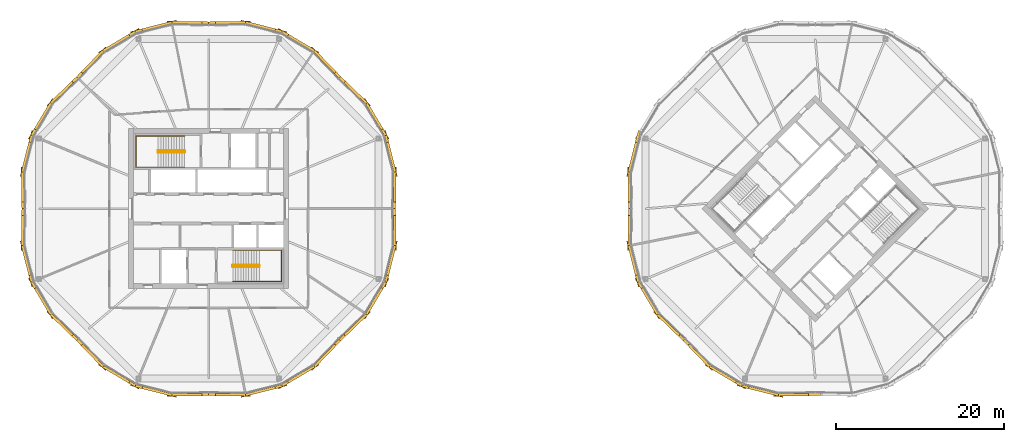
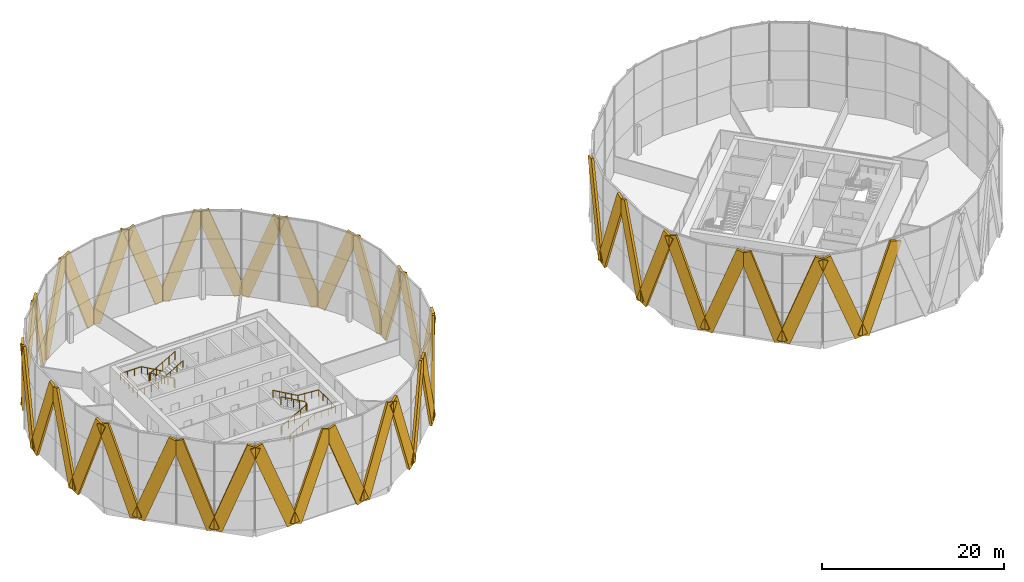
# One storey, part 22 of 23: 42 coverings, 4 railings.
"""IFC4 building model written with IfcOpenShell, lengths in metres."""

from ifc_helpers import new_model, si_unit, direction, frame, origin, origin_2d, place, context, subcontext, project, spatial, rectangle, circle, extrude, material, material_profile, profile_set, type_object, element, save


model = new_model("IFC4")

# Units and contexts
model_context = context("Model", 3, precision=1e-05, world=origin(), true_north=direction((0.0, 1.0)))
body_context = subcontext(model_context, "Body", "Model", "MODEL_VIEW")
ifc_project = project(units=[si_unit("LENGTHUNIT", "METRE"), si_unit("AREAUNIT", "SQUARE_METRE"), si_unit("VOLUMEUNIT", "CUBIC_METRE"), si_unit("PLANEANGLEUNIT", "RADIAN"), si_unit("MASSUNIT", "GRAM", prefix="KILO")], contexts=[model_context])

# Site, building, storey
site_placement = place(None, origin())
site = spatial("IfcSite", under=ifc_project, at=site_placement, CompositionType="ELEMENT")
building_placement = place(site_placement, origin())
building = spatial("IfcBuilding", under=site, at=building_placement, Name="Ogive Gate Towers", CompositionType="ELEMENT")
storey_placement = place(building_placement, frame((0.0, 0.0, 177.300048828125)))
storey = spatial("IfcBuildingStorey", under=building, at=storey_placement, Name="L42", CompositionType="ELEMENT", Elevation=177.300048828125)

# Coverings
ifc_material_1 = material(Name="Pale metal aluminium", Category="aluminium")
ifc_material_profile = material_profile(ifc_material_1, rectangle(XDim=0.300048828125, YDim=1.5, at=origin_2d()), Name="1500 x 300 pale metal aluminium")
ifc_profile_set = profile_set([ifc_material_profile], Name="Pale metal aluminium")
covering_type = type_object("IfcCoveringType", Name="Facade fin 1500 x 300", PredefinedType="CLADDING", material=ifc_profile_set)
covering_1_placement = place(storey_placement, frame((-13.88818359375, 4.24365234375, -0.0888671875), z_axis=(-0.005896872643, -0.348099763226, 0.937438948271), x_axis=(0.999856546025, -0.016937749853, 0.0)))
element("IfcCovering", 1, at=covering_1_placement, inside=storey, type_object=covering_type, Name="Facade fin", PredefinedType="CLADDING", context=body_context, shape_type="SweptSolid", body=[
    extrude(rectangle(XDim=0.300048828125, YDim=1.5, at=origin_2d()), origin(), (0.0, 0.0, 1.0), 11.923583984375),
])
for number, where, z_axis, x_axis, name in (
    (2, (-13.918212890625, 4.497802734375, -0.085693359375), (-0.086860193873, 0.341530110073, 0.935848540435), (-0.969147856369, -0.246480085394, 0.0), "Facade fin"),
    (3, (-17.205322265625, 12.433837890625, -0.085693359375), (0.180079879209, -0.302935056313, 0.935842715824), (0.859590314879, 0.5109838457, 0.0), "Facade fin"),
):
    element("IfcCovering", number, at=place(storey_placement, frame(where, z_axis=z_axis, x_axis=x_axis)), inside=storey, type_object=covering_type, Name=name, PredefinedType="CLADDING", context=body_context, shape_type="SweptSolid", body=[
        extrude(rectangle(XDim=0.300048828125, YDim=1.5, at=origin_2d()), origin(), (0.0, 0.0, 1.0), 11.937255859375),
    ])
for number, where, z_axis, x_axis, name in (
    (4, (-17.36376953125, 12.634521484375, -0.0888671875), (-0.250308781099, 0.241995867796, 0.937434538554), (-0.695067697185, -0.718944292925, 0.0), "Facade fin"),
    (5, (-23.365478515625, 18.63623046875, -0.0888671875), (0.241995867796, -0.250308781099, 0.937434538554), (0.718944292925, 0.695067697185, 0.0), "Facade fin"),
):
    element("IfcCovering", number, at=place(storey_placement, frame(where, z_axis=z_axis, x_axis=x_axis)), inside=storey, type_object=covering_type, Name=name, PredefinedType="CLADDING", context=body_context, shape_type="SweptSolid", body=[
        extrude(rectangle(XDim=0.300048828125, YDim=1.5, at=origin_2d()), origin(), (0.0, 0.0, 1.0), 11.923828125),
    ])
for number, where, z_axis, x_axis, name in (
    (6, (-23.566162109375, 18.794677734375, -0.085693359375), (-0.302935056313, 0.180079879209, 0.935842715824), (-0.5109838457, -0.859590314879, 0.0), "Facade fin"),
    (7, (-31.502197265625, 22.081787109375, -0.085693359375), (0.341530110073, -0.086860193873, 0.935848540435), (0.246480085394, 0.969147856369, 0.0), "Facade fin"),
):
    element("IfcCovering", number, at=place(storey_placement, frame(where, z_axis=z_axis, x_axis=x_axis)), inside=storey, type_object=covering_type, Name=name, PredefinedType="CLADDING", context=body_context, shape_type="SweptSolid", body=[
        extrude(rectangle(XDim=0.300048828125, YDim=1.5, at=origin_2d()), origin(), (0.0, 0.0, 1.0), 11.937255859375),
    ])
for number, where, z_axis, x_axis, name in (
    (8, (-31.75634765625, 22.11181640625, -0.0888671875), (-0.348099763226, -0.005896872643, 0.937438948271), (0.016937749853, -0.999856546025, 0.0), "Facade fin"),
    (9, (-40.24365234375, 22.11181640625, -0.0888671875), (0.348099763226, -0.005896872643, 0.937438948271), (0.016937749853, 0.999856546025, 0.0), "Facade fin"),
):
    element("IfcCovering", number, at=place(storey_placement, frame(where, z_axis=z_axis, x_axis=x_axis)), inside=storey, type_object=covering_type, Name=name, PredefinedType="CLADDING", context=body_context, shape_type="SweptSolid", body=[
        extrude(rectangle(XDim=0.300048828125, YDim=1.5, at=origin_2d()), origin(), (0.0, 0.0, 1.0), 11.923583984375),
    ])
for number, where, z_axis, x_axis, name in (
    (10, (-40.497802734375, 22.081787109375, -0.085693359375), (-0.341530110073, -0.086860193873, 0.935848540435), (0.246480085394, -0.969147856369, 0.0), "Facade fin"),
    (11, (-48.433837890625, 18.794677734375, -0.085693359375), (0.302935056313, 0.180079879209, 0.935842715824), (-0.5109838457, 0.859590314879, 0.0), "Facade fin"),
):
    element("IfcCovering", number, at=place(storey_placement, frame(where, z_axis=z_axis, x_axis=x_axis)), inside=storey, type_object=covering_type, Name=name, PredefinedType="CLADDING", context=body_context, shape_type="SweptSolid", body=[
        extrude(rectangle(XDim=0.300048828125, YDim=1.5, at=origin_2d()), origin(), (0.0, 0.0, 1.0), 11.937255859375),
    ])
for number, where, z_axis, x_axis, name in (
    (12, (-48.634521484375, 18.63623046875, -0.0888671875), (-0.241995867796, -0.250308781099, 0.937434538554), (0.718944292925, -0.695067697185, 0.0), "Facade fin"),
    (13, (-54.63623046875, 12.634521484375, -0.0888671875), (0.250308781099, 0.241995867796, 0.937434538554), (-0.695067697185, 0.718944292925, 0.0), "Facade fin"),
):
    element("IfcCovering", number, at=place(storey_placement, frame(where, z_axis=z_axis, x_axis=x_axis)), inside=storey, type_object=covering_type, Name=name, PredefinedType="CLADDING", context=body_context, shape_type="SweptSolid", body=[
        extrude(rectangle(XDim=0.300048828125, YDim=1.5, at=origin_2d()), origin(), (0.0, 0.0, 1.0), 11.923828125),
    ])
for number, where, z_axis, x_axis, name in (
    (14, (-54.794677734375, 12.433837890625, -0.085693359375), (-0.180079879209, -0.302935056313, 0.935842715824), (0.859590314879, -0.5109838457, 0.0), "Facade fin"),
    (15, (-58.081787109375, 4.497802734375, -0.085693359375), (0.086860193873, 0.341530110073, 0.935848540435), (-0.969147856369, 0.246480085394, 0.0), "Facade fin"),
):
    element("IfcCovering", number, at=place(storey_placement, frame(where, z_axis=z_axis, x_axis=x_axis)), inside=storey, type_object=covering_type, Name=name, PredefinedType="CLADDING", context=body_context, shape_type="SweptSolid", body=[
        extrude(rectangle(XDim=0.300048828125, YDim=1.5, at=origin_2d()), origin(), (0.0, 0.0, 1.0), 11.937255859375),
    ])
for number, where, z_axis, x_axis, name in (
    (16, (-58.11181640625, 4.24365234375, -0.0888671875), (0.005896872643, -0.348099763226, 0.937438948271), (0.999856546025, 0.016937749853, 0.0), "Facade fin"),
    (17, (-58.11181640625, -4.24365234375, -0.0888671875), (0.005896872643, 0.348099763226, 0.937438948271), (-0.999856546025, 0.016937749853, 0.0), "Facade fin"),
):
    element("IfcCovering", number, at=place(storey_placement, frame(where, z_axis=z_axis, x_axis=x_axis)), inside=storey, type_object=covering_type, Name=name, PredefinedType="CLADDING", context=body_context, shape_type="SweptSolid", body=[
        extrude(rectangle(XDim=0.300048828125, YDim=1.5, at=origin_2d()), origin(), (0.0, 0.0, 1.0), 11.923583984375),
    ])
for number, where, z_axis, x_axis, name in (
    (18, (-58.081787109375, -4.497802734375, -0.085693359375), (0.086860193873, -0.341530110073, 0.935848540435), (0.969147856369, 0.246480085394, 0.0), "Facade fin"),
    (19, (-54.794677734375, -12.433837890625, -0.085693359375), (-0.180079879209, 0.302935056313, 0.935842715824), (-0.859590314879, -0.5109838457, 0.0), "Facade fin"),
):
    element("IfcCovering", number, at=place(storey_placement, frame(where, z_axis=z_axis, x_axis=x_axis)), inside=storey, type_object=covering_type, Name=name, PredefinedType="CLADDING", context=body_context, shape_type="SweptSolid", body=[
        extrude(rectangle(XDim=0.300048828125, YDim=1.5, at=origin_2d()), origin(), (0.0, 0.0, 1.0), 11.937255859375),
    ])
for number, where, z_axis, x_axis, name in (
    (20, (-54.63623046875, -12.634521484375, -0.0888671875), (0.250308781099, -0.241995867796, 0.937434538554), (0.695067697185, 0.718944292925, 0.0), "Facade fin"),
    (21, (-48.634521484375, -18.63623046875, -0.0888671875), (-0.241995867796, 0.250308781099, 0.937434538554), (-0.718944292925, -0.695067697185, 0.0), "Facade fin"),
):
    element("IfcCovering", number, at=place(storey_placement, frame(where, z_axis=z_axis, x_axis=x_axis)), inside=storey, type_object=covering_type, Name=name, PredefinedType="CLADDING", context=body_context, shape_type="SweptSolid", body=[
        extrude(rectangle(XDim=0.300048828125, YDim=1.5, at=origin_2d()), origin(), (0.0, 0.0, 1.0), 11.923828125),
    ])
for number, where, z_axis, x_axis, name in (
    (22, (-48.433837890625, -18.794677734375, -0.085693359375), (0.302935056313, -0.180079879209, 0.935842715824), (0.5109838457, 0.859590314879, 0.0), "Facade fin"),
    (23, (-40.497802734375, -22.081787109375, -0.085693359375), (-0.341530110073, 0.086860193873, 0.935848540435), (-0.246480085394, -0.969147856369, 0.0), "Facade fin"),
):
    element("IfcCovering", number, at=place(storey_placement, frame(where, z_axis=z_axis, x_axis=x_axis)), inside=storey, type_object=covering_type, Name=name, PredefinedType="CLADDING", context=body_context, shape_type="SweptSolid", body=[
        extrude(rectangle(XDim=0.300048828125, YDim=1.5, at=origin_2d()), origin(), (0.0, 0.0, 1.0), 11.937255859375),
    ])
for number, where, z_axis, x_axis, name in (
    (24, (-40.24365234375, -22.11181640625, -0.0888671875), (0.348099763226, 0.005896872643, 0.937438948271), (-0.016937749853, 0.999856546025, 0.0), "Facade fin"),
    (25, (-31.75634765625, -22.11181640625, -0.0888671875), (-0.348099763226, 0.005896872643, 0.937438948271), (-0.016937749853, -0.999856546025, 0.0), "Facade fin"),
):
    element("IfcCovering", number, at=place(storey_placement, frame(where, z_axis=z_axis, x_axis=x_axis)), inside=storey, type_object=covering_type, Name=name, PredefinedType="CLADDING", context=body_context, shape_type="SweptSolid", body=[
        extrude(rectangle(XDim=0.300048828125, YDim=1.5, at=origin_2d()), origin(), (0.0, 0.0, 1.0), 11.923583984375),
    ])
for number, where, z_axis, x_axis, name in (
    (26, (-31.502197265625, -22.081787109375, -0.085693359375), (0.341530110073, 0.086860193873, 0.935848540435), (-0.246480085394, 0.969147856369, 0.0), "Facade fin"),
    (27, (-23.566162109375, -18.794677734375, -0.085693359375), (-0.302935056313, -0.180079879209, 0.935842715824), (0.5109838457, -0.859590314879, 0.0), "Facade fin"),
):
    element("IfcCovering", number, at=place(storey_placement, frame(where, z_axis=z_axis, x_axis=x_axis)), inside=storey, type_object=covering_type, Name=name, PredefinedType="CLADDING", context=body_context, shape_type="SweptSolid", body=[
        extrude(rectangle(XDim=0.300048828125, YDim=1.5, at=origin_2d()), origin(), (0.0, 0.0, 1.0), 11.937255859375),
    ])
for number, where, z_axis, x_axis, name in (
    (28, (-23.365478515625, -18.63623046875, -0.0888671875), (0.241995867796, 0.250308781099, 0.937434538554), (-0.718944292925, 0.695067697185, 0.0), "Facade fin"),
    (29, (-17.36376953125, -12.634521484375, -0.0888671875), (-0.250308781099, -0.241995867796, 0.937434538554), (0.695067697185, -0.718944292925, 0.0), "Facade fin"),
):
    element("IfcCovering", number, at=place(storey_placement, frame(where, z_axis=z_axis, x_axis=x_axis)), inside=storey, type_object=covering_type, Name=name, PredefinedType="CLADDING", context=body_context, shape_type="SweptSolid", body=[
        extrude(rectangle(XDim=0.300048828125, YDim=1.5, at=origin_2d()), origin(), (0.0, 0.0, 1.0), 11.923828125),
    ])
for number, where, z_axis, x_axis, name in (
    (30, (-17.205322265625, -12.433837890625, -0.085693359375), (0.180079879209, 0.302935056313, 0.935842715824), (-0.859590314879, 0.5109838457, 0.0), "Facade fin"),
    (31, (-13.918212890625, -4.497802734375, -0.085693359375), (-0.086860193873, -0.341530110073, 0.935848540435), (0.969147856369, -0.246480085394, 0.0), "Facade fin"),
):
    element("IfcCovering", number, at=place(storey_placement, frame(where, z_axis=z_axis, x_axis=x_axis)), inside=storey, type_object=covering_type, Name=name, PredefinedType="CLADDING", context=body_context, shape_type="SweptSolid", body=[
        extrude(rectangle(XDim=0.300048828125, YDim=1.5, at=origin_2d()), origin(), (0.0, 0.0, 1.0), 11.937255859375),
    ])
covering_2_placement = place(storey_placement, frame((-13.88818359375, -4.24365234375, -0.0888671875), z_axis=(-0.005896872643, 0.348099763226, 0.937438948271), x_axis=(-0.999856546025, -0.016937749853, 0.0)))
element("IfcCovering", 32, at=covering_2_placement, inside=storey, type_object=covering_type, Name="Facade fin", PredefinedType="CLADDING", context=body_context, shape_type="SweptSolid", body=[
    extrude(rectangle(XDim=0.300048828125, YDim=1.5, at=origin_2d()), origin(), (0.0, 0.0, 1.0), 11.923583984375),
])
covering_3_placement = place(storey_placement, frame((13.918212890625, 4.497802734375, -0.085693359375), z_axis=(0.086860193873, 0.341530110073, 0.935848540435), x_axis=(-0.969147856369, 0.246480085394, 0.0)))
element("IfcCovering", 33, at=covering_3_placement, inside=storey, type_object=covering_type, Name="Facade fin", PredefinedType="CLADDING", context=body_context, shape_type="SweptSolid", body=[
    extrude(rectangle(XDim=0.300048828125, YDim=1.5, at=origin_2d()), origin(), (0.0, 0.0, 1.0), 11.937255859375),
])
for number, where, z_axis, x_axis, name in (
    (34, (13.88818359375, 4.24365234375, -0.0888671875), (0.005896872643, -0.348099763226, 0.937438948271), (0.999856546025, 0.016937749853, 0.0), "Facade fin"),
    (35, (13.88818359375, -4.24365234375, -0.0888671875), (0.005896872643, 0.348099763226, 0.937438948271), (-0.999856546025, 0.016937749853, 0.0), "Facade fin"),
):
    element("IfcCovering", number, at=place(storey_placement, frame(where, z_axis=z_axis, x_axis=x_axis)), inside=storey, type_object=covering_type, Name=name, PredefinedType="CLADDING", context=body_context, shape_type="SweptSolid", body=[
        extrude(rectangle(XDim=0.300048828125, YDim=1.5, at=origin_2d()), origin(), (0.0, 0.0, 1.0), 11.923583984375),
    ])
for number, where, z_axis, x_axis, name in (
    (36, (13.918212890625, -4.497802734375, -0.085693359375), (0.086860193873, -0.341530110073, 0.935848540435), (0.969147856369, 0.246480085394, 0.0), "Facade fin"),
    (37, (17.205322265625, -12.433837890625, -0.085693359375), (-0.180079879209, 0.302935056313, 0.935842715824), (-0.859590314879, -0.5109838457, 0.0), "Facade fin"),
):
    element("IfcCovering", number, at=place(storey_placement, frame(where, z_axis=z_axis, x_axis=x_axis)), inside=storey, type_object=covering_type, Name=name, PredefinedType="CLADDING", context=body_context, shape_type="SweptSolid", body=[
        extrude(rectangle(XDim=0.300048828125, YDim=1.5, at=origin_2d()), origin(), (0.0, 0.0, 1.0), 11.937255859375),
    ])
for number, where, z_axis, x_axis, name in (
    (38, (17.36376953125, -12.634521484375, -0.0888671875), (0.250308781099, -0.241995867796, 0.937434538554), (0.695067697185, 0.718944292925, 0.0), "Facade fin"),
    (39, (23.365478515625, -18.63623046875, -0.0888671875), (-0.241995867796, 0.250308781099, 0.937434538554), (-0.718944292925, -0.695067697185, 0.0), "Facade fin"),
):
    element("IfcCovering", number, at=place(storey_placement, frame(where, z_axis=z_axis, x_axis=x_axis)), inside=storey, type_object=covering_type, Name=name, PredefinedType="CLADDING", context=body_context, shape_type="SweptSolid", body=[
        extrude(rectangle(XDim=0.300048828125, YDim=1.5, at=origin_2d()), origin(), (0.0, 0.0, 1.0), 11.923828125),
    ])
for number, where, z_axis, x_axis, name in (
    (40, (23.566162109375, -18.794677734375, -0.085693359375), (0.302935056313, -0.180079879209, 0.935842715824), (0.5109838457, 0.859590314879, 0.0), "Facade fin"),
    (41, (31.502197265625, -22.081787109375, -0.085693359375), (-0.341530110073, 0.086860193873, 0.935848540435), (-0.246480085394, -0.969147856369, 0.0), "Facade fin"),
):
    element("IfcCovering", number, at=place(storey_placement, frame(where, z_axis=z_axis, x_axis=x_axis)), inside=storey, type_object=covering_type, Name=name, PredefinedType="CLADDING", context=body_context, shape_type="SweptSolid", body=[
        extrude(rectangle(XDim=0.300048828125, YDim=1.5, at=origin_2d()), origin(), (0.0, 0.0, 1.0), 11.937255859375),
    ])
covering_4_placement = place(storey_placement, frame((31.75634765625, -22.11181640625, -0.0888671875), z_axis=(0.348099763226, 0.005896872643, 0.937438948271), x_axis=(-0.016937749853, 0.999856546025, 0.0)))
element("IfcCovering", 42, at=covering_4_placement, inside=storey, type_object=covering_type, Name="Facade fin", PredefinedType="CLADDING", context=body_context, shape_type="SweptSolid", body=[
    extrude(rectangle(XDim=0.300048828125, YDim=1.5, at=origin_2d()), origin(), (0.0, 0.0, 1.0), 11.923583984375),
])

# Railings
ifc_material_2 = material(Name="Stainless steel", Category="steel")
railing_type_1 = type_object("IfcRailingType", Name="Stair guard 1100", PredefinedType="GUARDRAIL", material=ifc_material_2)
railing_1_placement = place(storey_placement, frame((-38.81494140625, 6.860107421875, 0.0)))
element("IfcRailing", 43, at=railing_1_placement, inside=storey, type_object=railing_type_1, Name="L42 ST1 stair guard 1", PredefinedType="GUARDRAIL", context=body_context, shape_type="SweptSolid", body=[
    extrude(circle(Radius=0.02392578125, at=origin_2d()), frame((0.0, 0.0, 1.076171875), z_axis=(0.0, -1.0, 0.0), x_axis=(1.0, 0.0, 0.0)), (0.0, 0.0, 1.0), 0.14501953125),
    extrude(circle(Radius=0.02392578125, at=origin_2d()), frame((0.0, -0.14501953125, 1.076171875), z_axis=(-0.186679794065, 0.726685247142, 0.661119660934), x_axis=(-0.968551454522, -0.24881334358, 0.0)), (0.0, 0.0, 1.0), 0.26806640625),
    extrude(circle(Radius=0.02392578125, at=origin_2d()), frame((-0.050048828125, 0.0498046875, 1.25341796875), z_axis=(-0.870572935281, 0.0, 0.492039393094), x_axis=(0.0, -1.0, 0.0)), (0.0, 0.0, 1.0), 3.602783203125),
    extrude(circle(Radius=0.02392578125, at=origin_2d()), frame((-3.1865234375, 0.0498046875, 3.02587890625), z_axis=(-0.707106781187, -0.707106781187, 0.0), x_axis=(0.707106781187, -0.707106781187, 0.0)), (0.0, 0.0, 1.0), 0.0703125),
    extrude(circle(Radius=0.02392578125, at=origin_2d()), frame((-3.236328125, 0.0, 3.02587890625), z_axis=(0.0, -1.0, 0.0), x_axis=(1.0, 0.0, 0.0)), (0.0, 0.0, 1.0), 0.14501953125),
    extrude(circle(Radius=0.02392578125, at=origin_2d()), frame((-3.236328125, -0.14501953125, 3.02587890625), z_axis=(0.261041864531, -0.262321481514, 0.929001929653), x_axis=(0.708833529934, 0.705375805398, 0.0)), (0.0, 0.0, 1.0), 0.190673828125),
    extrude(circle(Radius=0.02392578125, at=origin_2d()), frame((-3.1865234375, -0.195068359375, 3.203125), z_axis=(0.870572935281, 0.0, 0.492039393094), x_axis=(0.0, 1.0, 0.0)), (0.0, 0.0, 1.0), 3.602783203125),
    extrude(circle(Radius=0.02099609375, at=origin_2d()), origin(), (0.0, 0.0, 1.0), 1.052001953125),
    extrude(circle(Radius=0.02099609375, at=origin_2d()), frame((0.0, -0.14501953125, 0.0)), (0.0, 0.0, 1.0), 1.052001953125),
    extrude(circle(Radius=0.02099609375, at=origin_2d()), frame((-0.050048828125, 0.0498046875, 0.17724609375)), (0.0, 0.0, 1.0), 1.052001953125),
    extrude(circle(Radius=0.02099609375, at=origin_2d()), frame((-0.834228515625, 0.0498046875, 0.620361328125)), (0.0, 0.0, 1.0), 1.052001953125),
    extrude(circle(Radius=0.02099609375, at=origin_2d()), frame((-1.6181640625, 0.0498046875, 1.0634765625)), (0.0, 0.0, 1.0), 1.052001953125),
    extrude(circle(Radius=0.02099609375, at=origin_2d()), frame((-2.40234375, 0.0498046875, 1.5068359375)), (0.0, 0.0, 1.0), 1.052001953125),
    extrude(circle(Radius=0.02099609375, at=origin_2d()), frame((-3.1865234375, 0.0498046875, 1.949951171875)), (0.0, 0.0, 1.0), 1.052001953125),
    extrude(circle(Radius=0.02099609375, at=origin_2d()), frame((-3.236328125, 0.0, 1.949951171875)), (0.0, 0.0, 1.0), 1.052001953125),
    extrude(circle(Radius=0.02099609375, at=origin_2d()), frame((-3.236328125, -0.14501953125, 1.949951171875)), (0.0, 0.0, 1.0), 1.052001953125),
    extrude(circle(Radius=0.02099609375, at=origin_2d()), frame((-3.1865234375, -0.195068359375, 2.127197265625)), (0.0, 0.0, 1.0), 1.052001953125),
    extrude(circle(Radius=0.02099609375, at=origin_2d()), frame((-2.40234375, -0.195068359375, 2.5703125)), (0.0, 0.0, 1.0), 1.052001953125),
    extrude(circle(Radius=0.02099609375, at=origin_2d()), frame((-1.6181640625, -0.195068359375, 3.013671875)), (0.0, 0.0, 1.0), 1.052001953125),
    extrude(circle(Radius=0.02099609375, at=origin_2d()), frame((-0.834228515625, -0.195068359375, 3.456787109375)), (0.0, 0.0, 1.0), 1.052001953125),
    extrude(circle(Radius=0.02099609375, at=origin_2d()), frame((-0.050048828125, -0.195068359375, 3.89990234375)), (0.0, 0.0, 1.0), 1.052001953125),
])
railing_2_placement = place(storey_placement, frame((-33.18505859375, -6.860107421875, 0.0)))
element("IfcRailing", 44, at=railing_2_placement, inside=storey, type_object=railing_type_1, Name="L42 ST2 stair guard 1", PredefinedType="GUARDRAIL", context=body_context, shape_type="SweptSolid", body=[
    extrude(circle(Radius=0.02392578125, at=origin_2d()), frame((0.0, 0.0, 1.076171875), z_axis=(0.0, 1.0, 0.0), x_axis=(-1.0, 0.0, 0.0)), (0.0, 0.0, 1.0), 0.14501953125),
    extrude(circle(Radius=0.02392578125, at=origin_2d()), frame((0.0, 0.14501953125, 1.076171875), z_axis=(0.186679794065, -0.726685247142, 0.661119660934), x_axis=(0.968551454522, 0.24881334358, 0.0)), (0.0, 0.0, 1.0), 0.26806640625),
    extrude(circle(Radius=0.02392578125, at=origin_2d()), frame((0.050048828125, -0.0498046875, 1.25341796875), z_axis=(0.870572935281, 0.0, 0.492039393094), x_axis=(0.0, 1.0, 0.0)), (0.0, 0.0, 1.0), 3.602783203125),
    extrude(circle(Radius=0.02392578125, at=origin_2d()), frame((3.1865234375, -0.0498046875, 3.02587890625), z_axis=(0.707106781187, 0.707106781187, 0.0), x_axis=(-0.707106781187, 0.707106781187, 0.0)), (0.0, 0.0, 1.0), 0.0703125),
    extrude(circle(Radius=0.02392578125, at=origin_2d()), frame((3.236328125, 0.0, 3.02587890625), z_axis=(0.0, 1.0, 0.0), x_axis=(-1.0, 0.0, 0.0)), (0.0, 0.0, 1.0), 0.14501953125),
    extrude(circle(Radius=0.02392578125, at=origin_2d()), frame((3.236328125, 0.14501953125, 3.02587890625), z_axis=(-0.261041864531, 0.262321481514, 0.929001929653), x_axis=(-0.708833529934, -0.705375805398, 0.0)), (0.0, 0.0, 1.0), 0.190673828125),
    extrude(circle(Radius=0.02392578125, at=origin_2d()), frame((3.1865234375, 0.195068359375, 3.203125), z_axis=(-0.870572935281, 0.0, 0.492039393094), x_axis=(0.0, -1.0, 0.0)), (0.0, 0.0, 1.0), 3.602783203125),
    extrude(circle(Radius=0.02099609375, at=origin_2d()), origin(), (0.0, 0.0, 1.0), 1.052001953125),
    extrude(circle(Radius=0.02099609375, at=origin_2d()), frame((0.0, 0.14501953125, 0.0)), (0.0, 0.0, 1.0), 1.052001953125),
    extrude(circle(Radius=0.02099609375, at=origin_2d()), frame((0.050048828125, -0.0498046875, 0.17724609375)), (0.0, 0.0, 1.0), 1.052001953125),
    extrude(circle(Radius=0.02099609375, at=origin_2d()), frame((0.834228515625, -0.0498046875, 0.620361328125)), (0.0, 0.0, 1.0), 1.052001953125),
    extrude(circle(Radius=0.02099609375, at=origin_2d()), frame((1.6181640625, -0.0498046875, 1.0634765625)), (0.0, 0.0, 1.0), 1.052001953125),
    extrude(circle(Radius=0.02099609375, at=origin_2d()), frame((2.40234375, -0.0498046875, 1.5068359375)), (0.0, 0.0, 1.0), 1.052001953125),
    extrude(circle(Radius=0.02099609375, at=origin_2d()), frame((3.1865234375, -0.0498046875, 1.949951171875)), (0.0, 0.0, 1.0), 1.052001953125),
    extrude(circle(Radius=0.02099609375, at=origin_2d()), frame((3.236328125, 0.0, 1.949951171875)), (0.0, 0.0, 1.0), 1.052001953125),
    extrude(circle(Radius=0.02099609375, at=origin_2d()), frame((3.236328125, 0.14501953125, 1.949951171875)), (0.0, 0.0, 1.0), 1.052001953125),
    extrude(circle(Radius=0.02099609375, at=origin_2d()), frame((3.1865234375, 0.195068359375, 2.127197265625)), (0.0, 0.0, 1.0), 1.052001953125),
    extrude(circle(Radius=0.02099609375, at=origin_2d()), frame((2.40234375, 0.195068359375, 2.5703125)), (0.0, 0.0, 1.0), 1.052001953125),
    extrude(circle(Radius=0.02099609375, at=origin_2d()), frame((1.6181640625, 0.195068359375, 3.013671875)), (0.0, 0.0, 1.0), 1.052001953125),
    extrude(circle(Radius=0.02099609375, at=origin_2d()), frame((0.834228515625, 0.195068359375, 3.456787109375)), (0.0, 0.0, 1.0), 1.052001953125),
    extrude(circle(Radius=0.02099609375, at=origin_2d()), frame((0.050048828125, 0.195068359375, 3.89990234375)), (0.0, 0.0, 1.0), 1.052001953125),
])
railing_type_2 = type_object("IfcRailingType", Name="Stair handrail 900", PredefinedType="HANDRAIL", material=ifc_material_2)
railing_3_placement = place(storey_placement, frame((-38.864990234375, 8.64990234375, 0.17724609375)))
element("IfcRailing", 45, at=railing_3_placement, inside=storey, type_object=railing_type_2, Name="L42 ST1 stair handrail 1", PredefinedType="HANDRAIL", context=body_context, shape_type="SweptSolid", body=[
    extrude(circle(Radius=0.02392578125, at=origin_2d()), frame((0.0, 0.0, 0.8759765625), z_axis=(-0.870572935281, 0.0, 0.492039393094), x_axis=(0.0, -1.0, 0.0)), (0.0, 0.0, 1.0), 3.602783203125),
    extrude(circle(Radius=0.02392578125, at=origin_2d()), frame((-3.136474609375, 0.0, 2.6484375), z_axis=(-1.0, 0.0, 0.0), x_axis=(0.0, -1.0, 0.0)), (0.0, 0.0, 1.0), 2.6484375),
    extrude(circle(Radius=0.02392578125, at=origin_2d()), frame((-5.784912109375, 0.0, 2.6484375), z_axis=(0.0, -1.0, 0.0), x_axis=(1.0, 0.0, 0.0)), (0.0, 0.0, 1.0), 3.724853515625),
    extrude(circle(Radius=0.02392578125, at=origin_2d()), frame((-5.784912109375, -3.724853515625, 2.6484375), z_axis=(0.997768031817, 0.0, 0.066775404784), x_axis=(0.0, 1.0, 0.0)), (0.0, 0.0, 1.0), 2.654296875),
    extrude(circle(Radius=0.02392578125, at=origin_2d()), frame((-3.136474609375, -3.724853515625, 2.82568359375), z_axis=(0.870572935281, 0.0, 0.492039393094), x_axis=(0.0, 1.0, 0.0)), (0.0, 0.0, 1.0), 3.602783203125),
    extrude(circle(Radius=0.02099609375, at=origin_2d()), origin(), (0.0, 0.0, 1.0), 0.851806640625),
    extrude(circle(Radius=0.02099609375, at=origin_2d()), frame((-0.7841796875, 0.0, 0.443115234375)), (0.0, 0.0, 1.0), 0.851806640625),
    extrude(circle(Radius=0.02099609375, at=origin_2d()), frame((-1.568359375, 0.0, 0.88623046875)), (0.0, 0.0, 1.0), 0.851806640625),
    extrude(circle(Radius=0.02099609375, at=origin_2d()), frame((-2.352294921875, 0.0, 1.32958984375)), (0.0, 0.0, 1.0), 0.851806640625),
    extrude(circle(Radius=0.02099609375, at=origin_2d()), frame((-3.136474609375, 0.0, 1.772705078125)), (0.0, 0.0, 1.0), 0.851806640625),
    extrude(circle(Radius=0.02099609375, at=origin_2d()), frame((-4.019287109375, 0.0, 1.772705078125)), (0.0, 0.0, 1.0), 0.851806640625),
    extrude(circle(Radius=0.02099609375, at=origin_2d()), frame((-4.902099609375, 0.0, 1.772705078125)), (0.0, 0.0, 1.0), 0.851806640625),
    extrude(circle(Radius=0.02099609375, at=origin_2d()), frame((-5.784912109375, 0.0, 1.772705078125)), (0.0, 0.0, 1.0), 0.851806640625),
    extrude(circle(Radius=0.02099609375, at=origin_2d()), frame((-5.784912109375, -0.93115234375, 1.772705078125)), (0.0, 0.0, 1.0), 0.851806640625),
    extrude(circle(Radius=0.02099609375, at=origin_2d()), frame((-5.784912109375, -1.8623046875, 1.772705078125)), (0.0, 0.0, 1.0), 0.851806640625),
    extrude(circle(Radius=0.02099609375, at=origin_2d()), frame((-5.784912109375, -2.793701171875, 1.772705078125)), (0.0, 0.0, 1.0), 0.851806640625),
    extrude(circle(Radius=0.02099609375, at=origin_2d()), frame((-5.784912109375, -3.724853515625, 1.772705078125)), (0.0, 0.0, 1.0), 0.851806640625),
    extrude(circle(Radius=0.02099609375, at=origin_2d()), frame((-4.902099609375, -3.724853515625, 1.831787109375)), (0.0, 0.0, 1.0), 0.851806640625),
    extrude(circle(Radius=0.02099609375, at=origin_2d()), frame((-4.019287109375, -3.724853515625, 1.890869140625)), (0.0, 0.0, 1.0), 0.851806640625),
    extrude(circle(Radius=0.02099609375, at=origin_2d()), frame((-3.136474609375, -3.724853515625, 1.949951171875)), (0.0, 0.0, 1.0), 0.851806640625),
    extrude(circle(Radius=0.02099609375, at=origin_2d()), frame((-2.352294921875, -3.724853515625, 2.39306640625)), (0.0, 0.0, 1.0), 0.851806640625),
    extrude(circle(Radius=0.02099609375, at=origin_2d()), frame((-1.568359375, -3.724853515625, 2.83642578125)), (0.0, 0.0, 1.0), 0.851806640625),
    extrude(circle(Radius=0.02099609375, at=origin_2d()), frame((-0.7841796875, -3.724853515625, 3.279541015625)), (0.0, 0.0, 1.0), 0.851806640625),
    extrude(circle(Radius=0.02099609375, at=origin_2d()), frame((0.0, -3.724853515625, 3.72265625)), (0.0, 0.0, 1.0), 0.851806640625),
])
railing_4_placement = place(storey_placement, frame((-33.135009765625, -8.64990234375, 0.17724609375)))
element("IfcRailing", 46, at=railing_4_placement, inside=storey, type_object=railing_type_2, Name="L42 ST2 stair handrail 1", PredefinedType="HANDRAIL", context=body_context, shape_type="SweptSolid", body=[
    extrude(circle(Radius=0.02392578125, at=origin_2d()), frame((0.0, 0.0, 0.8759765625), z_axis=(0.870572935281, 0.0, 0.492039393094), x_axis=(0.0, 1.0, 0.0)), (0.0, 0.0, 1.0), 3.602783203125),
    extrude(circle(Radius=0.02392578125, at=origin_2d()), frame((3.136474609375, 0.0, 2.6484375), z_axis=(1.0, 0.0, 0.0), x_axis=(0.0, 1.0, 0.0)), (0.0, 0.0, 1.0), 2.6484375),
    extrude(circle(Radius=0.02392578125, at=origin_2d()), frame((5.784912109375, 0.0, 2.6484375), z_axis=(0.0, 1.0, 0.0), x_axis=(-1.0, 0.0, 0.0)), (0.0, 0.0, 1.0), 3.724853515625),
    extrude(circle(Radius=0.02392578125, at=origin_2d()), frame((5.784912109375, 3.724853515625, 2.6484375), z_axis=(-0.997768031817, 0.0, 0.066775404784), x_axis=(0.0, -1.0, 0.0)), (0.0, 0.0, 1.0), 2.654296875),
    extrude(circle(Radius=0.02392578125, at=origin_2d()), frame((3.136474609375, 3.724853515625, 2.82568359375), z_axis=(-0.870572935281, 0.0, 0.492039393094), x_axis=(0.0, -1.0, 0.0)), (0.0, 0.0, 1.0), 3.602783203125),
    extrude(circle(Radius=0.02099609375, at=origin_2d()), origin(), (0.0, 0.0, 1.0), 0.851806640625),
    extrude(circle(Radius=0.02099609375, at=origin_2d()), frame((0.7841796875, 0.0, 0.443115234375)), (0.0, 0.0, 1.0), 0.851806640625),
    extrude(circle(Radius=0.02099609375, at=origin_2d()), frame((1.568359375, 0.0, 0.88623046875)), (0.0, 0.0, 1.0), 0.851806640625),
    extrude(circle(Radius=0.02099609375, at=origin_2d()), frame((2.352294921875, 0.0, 1.32958984375)), (0.0, 0.0, 1.0), 0.851806640625),
    extrude(circle(Radius=0.02099609375, at=origin_2d()), frame((3.136474609375, 0.0, 1.772705078125)), (0.0, 0.0, 1.0), 0.851806640625),
    extrude(circle(Radius=0.02099609375, at=origin_2d()), frame((4.019287109375, 0.0, 1.772705078125)), (0.0, 0.0, 1.0), 0.851806640625),
    extrude(circle(Radius=0.02099609375, at=origin_2d()), frame((4.902099609375, 0.0, 1.772705078125)), (0.0, 0.0, 1.0), 0.851806640625),
    extrude(circle(Radius=0.02099609375, at=origin_2d()), frame((5.784912109375, 0.0, 1.772705078125)), (0.0, 0.0, 1.0), 0.851806640625),
    extrude(circle(Radius=0.02099609375, at=origin_2d()), frame((5.784912109375, 0.93115234375, 1.772705078125)), (0.0, 0.0, 1.0), 0.851806640625),
    extrude(circle(Radius=0.02099609375, at=origin_2d()), frame((5.784912109375, 1.8623046875, 1.772705078125)), (0.0, 0.0, 1.0), 0.851806640625),
    extrude(circle(Radius=0.02099609375, at=origin_2d()), frame((5.784912109375, 2.793701171875, 1.772705078125)), (0.0, 0.0, 1.0), 0.851806640625),
    extrude(circle(Radius=0.02099609375, at=origin_2d()), frame((5.784912109375, 3.724853515625, 1.772705078125)), (0.0, 0.0, 1.0), 0.851806640625),
    extrude(circle(Radius=0.02099609375, at=origin_2d()), frame((4.902099609375, 3.724853515625, 1.831787109375)), (0.0, 0.0, 1.0), 0.851806640625),
    extrude(circle(Radius=0.02099609375, at=origin_2d()), frame((4.019287109375, 3.724853515625, 1.890869140625)), (0.0, 0.0, 1.0), 0.851806640625),
    extrude(circle(Radius=0.02099609375, at=origin_2d()), frame((3.136474609375, 3.724853515625, 1.949951171875)), (0.0, 0.0, 1.0), 0.851806640625),
    extrude(circle(Radius=0.02099609375, at=origin_2d()), frame((2.352294921875, 3.724853515625, 2.39306640625)), (0.0, 0.0, 1.0), 0.851806640625),
    extrude(circle(Radius=0.02099609375, at=origin_2d()), frame((1.568359375, 3.724853515625, 2.83642578125)), (0.0, 0.0, 1.0), 0.851806640625),
    extrude(circle(Radius=0.02099609375, at=origin_2d()), frame((0.7841796875, 3.724853515625, 3.279541015625)), (0.0, 0.0, 1.0), 0.851806640625),
    extrude(circle(Radius=0.02099609375, at=origin_2d()), frame((0.0, 3.724853515625, 3.72265625)), (0.0, 0.0, 1.0), 0.851806640625),
])

save(model, "model.ifc")
